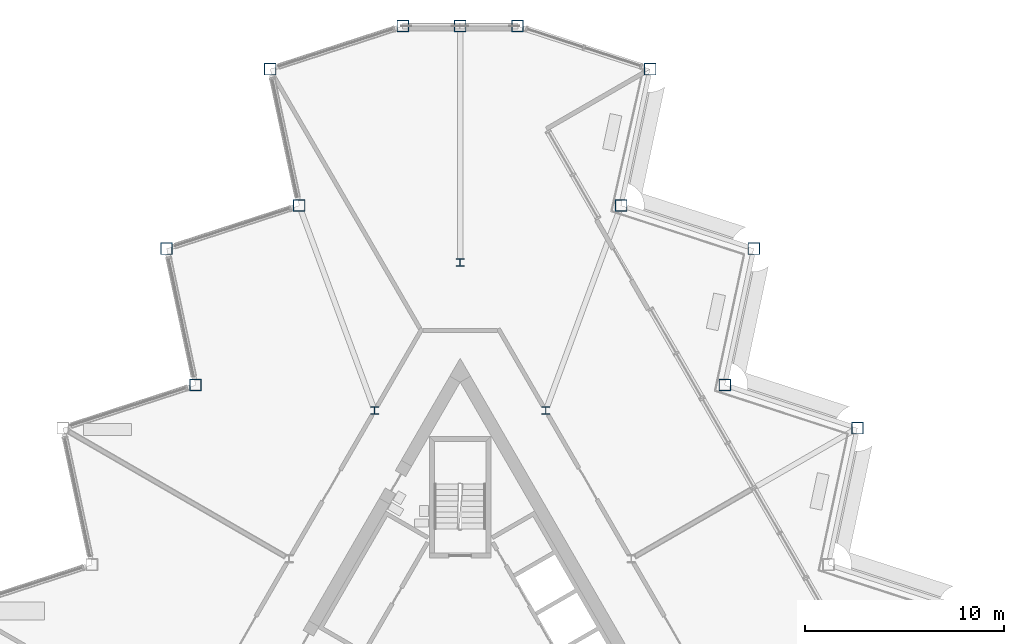
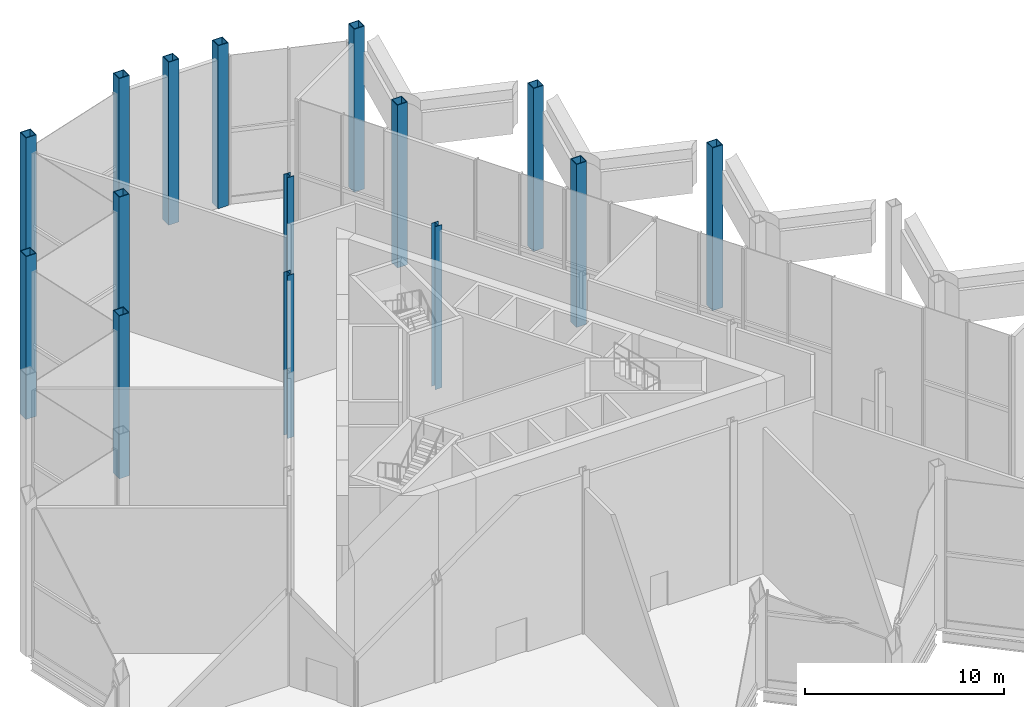
# One storey, part 3 of 18: 15 columns.
"""IFC4 building model written with IfcOpenShell, lengths in metres."""

from ifc_helpers import new_model, si_unit, direction, frame, origin, origin_2d, place, context, subcontext, project, spatial, hollow_rectangle, i_section, extrude, material, material_profile, profile_set, type_object, element, save


model = new_model("IFC4")

# Units and contexts
model_context = context("Model", 3, precision=1e-05, world=origin(), true_north=direction((0.0, 1.0)))
body_context = subcontext(model_context, "Body", "Model", "MODEL_VIEW")
ifc_project = project(units=[si_unit("LENGTHUNIT", "METRE"), si_unit("AREAUNIT", "SQUARE_METRE"), si_unit("VOLUMEUNIT", "CUBIC_METRE"), si_unit("PLANEANGLEUNIT", "RADIAN"), si_unit("MASSUNIT", "GRAM", prefix="KILO")], contexts=[model_context])

# Site, building, storey
site_placement = place(None, origin())
site = spatial("IfcSite", under=ifc_project, at=site_placement, CompositionType="ELEMENT")
building_placement = place(site_placement, origin())
building = spatial("IfcBuilding", under=site, at=building_placement, Name="Cormorant Prow Tower", CompositionType="ELEMENT")
storey_placement = place(building_placement, frame((0.0, 0.0, 346.0)))
storey = spatial("IfcBuildingStorey", under=building, at=storey_placement, Name="L78", CompositionType="ELEMENT", Elevation=346.0)

# Columns
ifc_material_1 = material(Name="Structural steel ASTM A572 Gr 50", Category="steel")
ifc_material_profile_1 = material_profile(ifc_material_1, hollow_rectangle(XDim=0.60009765625, YDim=0.60009765625, WallThickness=0.0400390625, at=origin_2d()), Name="Box 600x600x40")
ifc_profile_set_1 = profile_set([ifc_material_profile_1], Name="Structural steel ASTM A572 Gr 50")
column_type_1 = type_object("IfcColumnType", Name="Perimeter box column 600x600x40", PredefinedType="COLUMN", material=ifc_profile_set_1)
for number, where, z_axis, x_axis, name in (
    (1, (19.925537109375, 11.504150390625, 0.0), (0.0, 0.0, 1.0), (1.0, 0.0, 0.0), "Perimeter column C6 at ENE05 L78"),
    (2, (13.27197265625, 13.666015625, 0.0), (0.0, 0.0, 1.0), (1.0, 0.0, 0.0), "Perimeter column C6 at ENE06 L78"),
    (3, (14.7265625, 20.509033203125, 0.0), (0.0, 0.0, 1.0), (1.0, 0.0, 0.0), "Perimeter column C6 at ENE07 L78"),
    (4, (8.072998046875, 22.6708984375, 0.0), (0.0, 0.0, 1.0), (1.0, 0.0, 0.0), "Perimeter column C6 at ENE08 L78"),
    (5, (9.52734375, 29.51416015625, 0.0), (0.0, 0.0, 1.0), (1.0, 0.0, 0.0), "Perimeter column C6 at ENE09 L78"),
    (6, (2.873779296875, 31.676025390625, 0.0), (0.0, 0.0, 1.0), (1.0, 0.0, 0.0), "Perimeter column C6 at N00 L78"),
    (7, (0.0, 31.676025390625, 0.0), (0.0, 0.0, 1.0), (1.0, 0.0, 0.0), "Perimeter column C6 at N01 L78"),
    (8, (-2.873779296875, 31.676025390625, 0.0), (0.0, 0.0, 1.0), (1.0, 0.0, 0.0), "Perimeter column C6 at WNW00 L78"),
    (9, (-9.52734375, 29.51416015625, 0.0), (0.0, 0.0, 1.0), (1.0, 0.0, 0.0), "Perimeter column C6 at WNW01 L78"),
    (10, (-8.072998046875, 22.6708984375, 0.0), (0.0, 0.0, 1.0), (1.0, 0.0, 0.0), "Perimeter column C6 at WNW02 L78"),
    (11, (-14.7265625, 20.509033203125, 0.0), (0.0, 0.0, 1.0), (1.0, 0.0, 0.0), "Perimeter column C6 at WNW03 L78"),
    (12, (-13.27197265625, 13.666015625, 0.0), (0.0, 0.0, 1.0), (1.0, 0.0, 0.0), "Perimeter column C6 at WNW04 L78"),
):
    element("IfcColumn", number, at=place(storey_placement, frame(where, z_axis=z_axis, x_axis=x_axis)), inside=storey, type_object=column_type_1, Name=name, PredefinedType="COLUMN", context=body_context, shape_type="SweptSolid", body=[
        extrude(hollow_rectangle(XDim=0.60009765625, YDim=0.60009765625, WallThickness=0.0400390625, at=origin_2d()), origin(), (0.0, 0.0, 1.0), 10.0),
    ])
ifc_material_2 = material(Name="Structural steel ASTM A992 Gr 50", Category="steel")
ifc_material_profile_2 = material_profile(ifc_material_2, i_section(OverallWidth=0.3955078125, OverallDepth=0.380615234375, WebThickness=0.018798828125, FlangeThickness=0.0302734375, at=origin_2d()), Name="W14x159")
ifc_profile_set_2 = profile_set([ifc_material_profile_2], Name="Structural steel ASTM A992 Gr 50")
column_type_2 = type_object("IfcColumnType", Name="Ring column W14x159", PredefinedType="COLUMN", material=ifc_profile_set_2)
for number, where, z_axis, x_axis, name in (
    (13, (0.0, 19.81103515625, 0.0), (0.0, 0.0, 1.0), (1.0, 0.0, 0.0), "Ring column 1 L78"),
    (14, (-4.289306640625, 12.3818359375, 0.0), (0.0, 0.0, 1.0), (1.0, 0.0, 0.0), "Ring column 2 L78"),
    (15, (4.289306640625, 12.3818359375, 0.0), (0.0, 0.0, 1.0), (1.0, 0.0, 0.0), "Ring column 12 L78"),
):
    element("IfcColumn", number, at=place(storey_placement, frame(where, z_axis=z_axis, x_axis=x_axis)), inside=storey, type_object=column_type_2, Name=name, PredefinedType="COLUMN", context=body_context, shape_type="SweptSolid", body=[
        extrude(i_section(OverallWidth=0.3955078125, OverallDepth=0.380615234375, WebThickness=0.018798828125, FlangeThickness=0.0302734375, at=origin_2d()), origin(), (0.0, 0.0, 1.0), 10.0),
    ])

save(model, "model.ifc")
